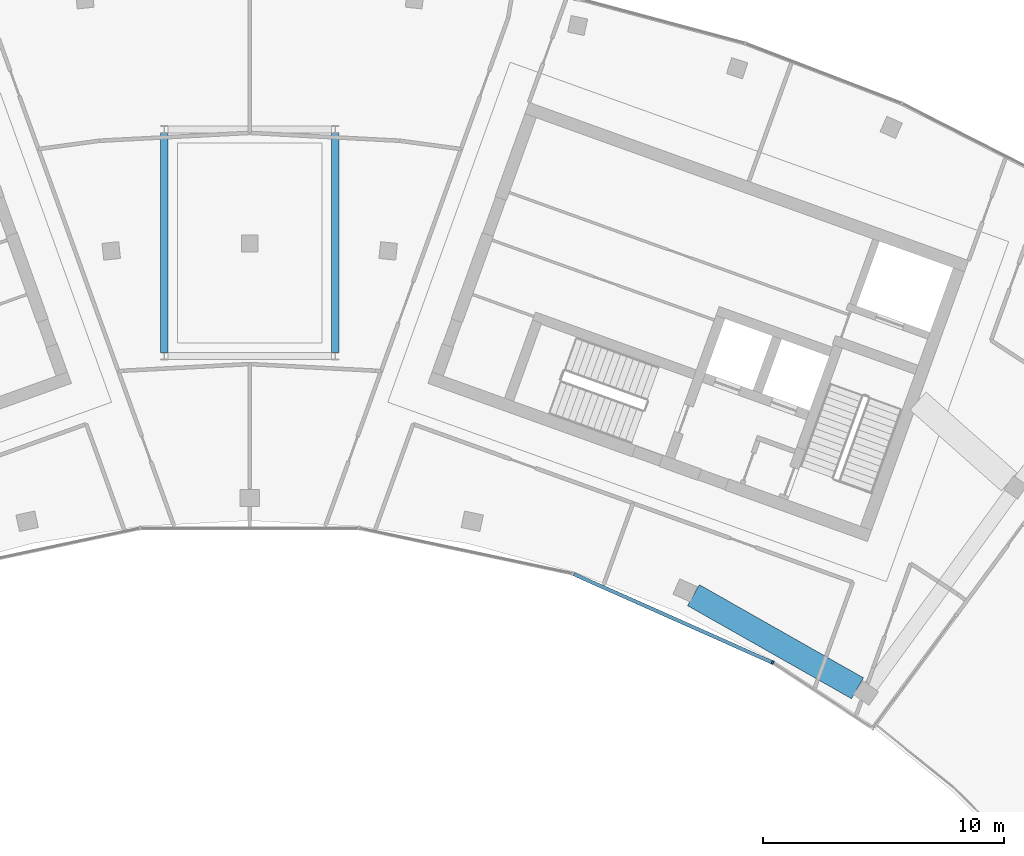
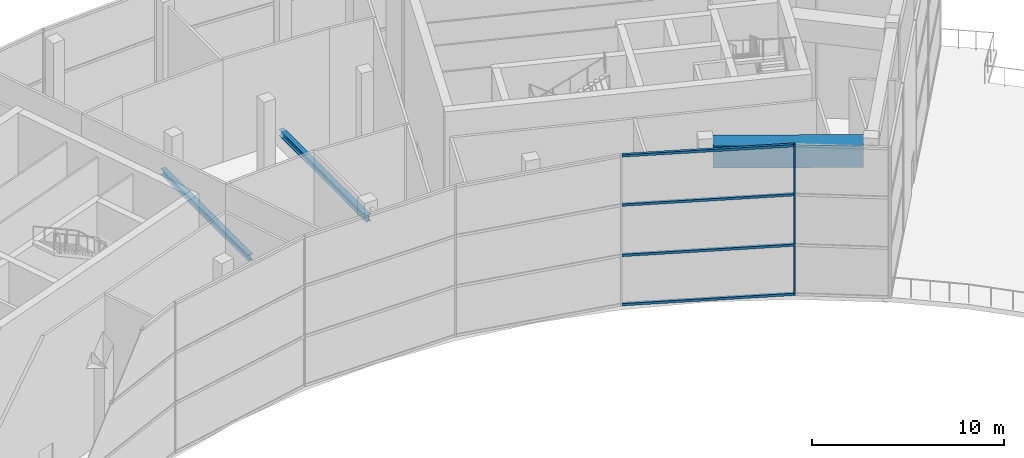
# One storey, part 6 of 20: 7 members, 1 beam, 1 element without a shape of its own.
"""IFC4 building model written with IfcOpenShell, lengths in metres."""

from ifc_helpers import new_model, si_unit, direction, frame, origin, origin_2d, place, context, subcontext, project, spatial, rectangle, i_section, extrude, material, layer, layer_set, material_profile, profile_set, type_object, element, aggregate, save


model = new_model("IFC4")

# Units and contexts
model_context = context("Model", 3, precision=1e-05, world=origin(), true_north=direction((0.0, 1.0)))
body_context = subcontext(model_context, "Body", "Model", "MODEL_VIEW")
ifc_project = project(units=[si_unit("LENGTHUNIT", "METRE"), si_unit("AREAUNIT", "SQUARE_METRE"), si_unit("VOLUMEUNIT", "CUBIC_METRE"), si_unit("PLANEANGLEUNIT", "RADIAN"), si_unit("MASSUNIT", "GRAM", prefix="KILO")], contexts=[model_context])

# Site, building, storey
site_placement = place(None, origin())
site = spatial("IfcSite", under=ifc_project, at=site_placement, CompositionType="ELEMENT")
building_placement = place(site_placement, origin())
building = spatial("IfcBuilding", under=site, at=building_placement, Name="Stone Belt Terrace Tower", CompositionType="ELEMENT")
storey_placement = place(building_placement, frame((0.0, 0.0, 323.0)))
storey = spatial("IfcBuildingStorey", under=building, at=storey_placement, Name="L78", CompositionType="ELEMENT", Elevation=323.0)

# Curtain wall, members
ifc_material_1 = material(Name="Aluminium 6063-T6 anodised frame", Category="aluminium")
ifc_layer = layer(ifc_material_1, 0.14990234375)
ifc_layer_set = layer_set([ifc_layer], Name="CW-E conservatory and damper hall curtain wall")
curtain_wall_type = type_object("IfcCurtainWallType", Name="CW-E conservatory and damper hall curtain wall", PredefinedType="NOTDEFINED", material=ifc_layer_set)
curtain_wall_placement = place(storey_placement, origin())
curtain_wall = element("IfcCurtainWall", 1, at=curtain_wall_placement, inside=storey, type_object=curtain_wall_type, Name="CW-E concave face L78", PredefinedType="NOTDEFINED")
ifc_material_profile_1 = material_profile(ifc_material_1, rectangle(XDim=0.14990234375, YDim=0.080078125, at=origin_2d()), Name="Aluminium 6063-T6 80x150")
ifc_profile_set_1 = profile_set([ifc_material_profile_1], Name="Aluminium 6063-T6 anodised frame")
member_type_1 = type_object("IfcMemberType", Name="CW-E mullion 80 x 150", PredefinedType="MULLION", material=ifc_profile_set_1)
member_1_placement = place(storey_placement, frame((21.7138671875, 37.60595703125, 0.0), z_axis=(0.0, 0.0, 1.0), x_axis=(0.478925338091, 0.877855637639, 0.0)))
member_1 = element("IfcMember", 2, at=member_1_placement, type_object=member_type_1, Name="CW-E mullion 7", PredefinedType="MULLION", context=body_context, shape_type="SweptSolid", body=[
    extrude(rectangle(XDim=0.14990234375, YDim=0.080078125, at=origin_2d()), origin(), (0.0, 0.0, 1.0), 9.60009765625),
])
ifc_material_profile_2 = material_profile(ifc_material_1, rectangle(XDim=0.14990234375, YDim=0.14990234375, at=origin_2d()), Name="Aluminium 6063-T6 150x150")
ifc_profile_set_2 = profile_set([ifc_material_profile_2], Name="Aluminium 6063-T6 anodised frame")
member_type_2 = type_object("IfcMemberType", Name="CW-E transom 150 x 150", PredefinedType="USERDEFINED", material=ifc_profile_set_2)
member_2_placement = place(storey_placement, frame((13.46240234375, 41.27978515625, 0.074951171875), z_axis=(0.913552574201, -0.406720658648, 0.0), x_axis=(0.406720658648, 0.913552574201, 0.0)))
member_2 = element("IfcMember", 3, at=member_2_placement, type_object=member_type_2, Name="CW-E transom 6.1", ObjectType="TRANSOM", PredefinedType="USERDEFINED", context=body_context, shape_type="SweptSolid", body=[
    extrude(rectangle(XDim=0.14990234375, YDim=0.14990234375, at=origin_2d()), origin(), (0.0, 0.0, 1.0), 8.986572265625),
])
member_3_placement = place(storey_placement, frame((13.46240234375, 41.27978515625, 3.199951171875), z_axis=(0.913552574201, -0.406720658648, 0.0), x_axis=(0.406720658648, 0.913552574201, 0.0)))
member_3 = element("IfcMember", 4, at=member_3_placement, type_object=member_type_2, Name="CW-E transom 6.2", ObjectType="TRANSOM", PredefinedType="USERDEFINED", context=body_context, shape_type="SweptSolid", body=[
    extrude(rectangle(XDim=0.14990234375, YDim=0.14990234375, at=origin_2d()), origin(), (0.0, 0.0, 1.0), 8.986572265625),
])
member_4_placement = place(storey_placement, frame((13.46240234375, 41.27978515625, 6.39990234375), z_axis=(0.913552574201, -0.406720658648, 0.0), x_axis=(0.406720658648, 0.913552574201, 0.0)))
member_4 = element("IfcMember", 5, at=member_4_placement, type_object=member_type_2, Name="CW-E transom 6.3", ObjectType="TRANSOM", PredefinedType="USERDEFINED", context=body_context, shape_type="SweptSolid", body=[
    extrude(rectangle(XDim=0.14990234375, YDim=0.14990234375, at=origin_2d()), origin(), (0.0, 0.0, 1.0), 8.986572265625),
])
member_5_placement = place(storey_placement, frame((13.46240234375, 41.27978515625, 9.52490234375), z_axis=(0.913552574201, -0.406720658648, 0.0), x_axis=(0.406720658648, 0.913552574201, 0.0)))
member_5 = element("IfcMember", 6, at=member_5_placement, type_object=member_type_2, Name="CW-E transom 6.4", ObjectType="TRANSOM", PredefinedType="USERDEFINED", context=body_context, shape_type="SweptSolid", body=[
    extrude(rectangle(XDim=0.14990234375, YDim=0.14990234375, at=origin_2d()), origin(), (0.0, 0.0, 1.0), 8.986572265625),
])
aggregate(curtain_wall, [member_1, member_2, member_3, member_4, member_5])

# Members
ifc_material_2 = material(Name="Structural steel C345", Category="steel")
ifc_material_profile_3 = material_profile(ifc_material_2, i_section(OverallWidth=0.300048828125, OverallDepth=0.389892578125, WebThickness=0.010009765625, FlangeThickness=0.01611328125, at=origin_2d()), Name="I 40Sh2")
ifc_profile_set_3 = profile_set([ifc_material_profile_3], Name="Structural steel C345")
member_type_3 = type_object("IfcMemberType", Name="Damper restraint ring I 40Sh2", PredefinedType="CHORD", material=ifc_profile_set_3)
for number, where, z_axis, x_axis, name in (
    (7, (3.550048828125, 50.480712890625, 3.405029296875), (0.0, 1.0, 0.0), (-1.0, 0.0, 0.0), "Damper restraint ring 2"),
    (8, (-3.550048828125, 59.590087890625, 3.405029296875), (0.0, -1.0, 0.0), (1.0, 0.0, 0.0), "Damper restraint ring 4"),
):
    element("IfcMember", number, at=place(storey_placement, frame(where, z_axis=z_axis, x_axis=x_axis)), inside=storey, type_object=member_type_3, Name=name, PredefinedType="CHORD", context=body_context, shape_type="SweptSolid", body=[
        extrude(i_section(OverallWidth=0.300048828125, OverallDepth=0.389892578125, WebThickness=0.010009765625, FlangeThickness=0.01611328125, at=origin_2d()), origin(), (0.0, 0.0, 1.0), 9.109375),
    ])

# Beam
ifc_material_3 = material(Name="Concrete B80", Category="concrete")
ifc_material_profile_4 = material_profile(ifc_material_3, rectangle(XDim=1.0, YDim=1.39990234375, at=origin_2d()), Name="RC 1000x1400")
ifc_profile_set_4 = profile_set([ifc_material_profile_4], Name="Concrete B80")
beam_type = type_object("IfcBeamType", Name="Transfer beam RC 1000x1400 B80", PredefinedType="BEAM", material=ifc_profile_set_4)
beam_placement = place(storey_placement, frame((18.427001953125, 40.404296875, 8.550048828125), z_axis=(0.869724627032, -0.49353730673, 0.0), x_axis=(0.49353730673, 0.869724627032, 0.0)))
element("IfcBeam", 9, at=beam_placement, inside=storey, type_object=beam_type, Name="Transfer beam L78 PP26-PB", PredefinedType="BEAM", context=body_context, shape_type="SweptSolid", body=[
    extrude(rectangle(XDim=1.0, YDim=1.39990234375, at=origin_2d()), origin(), (0.0, 0.0, 1.0), 7.82861328125),
])

save(model, "model.ifc")
